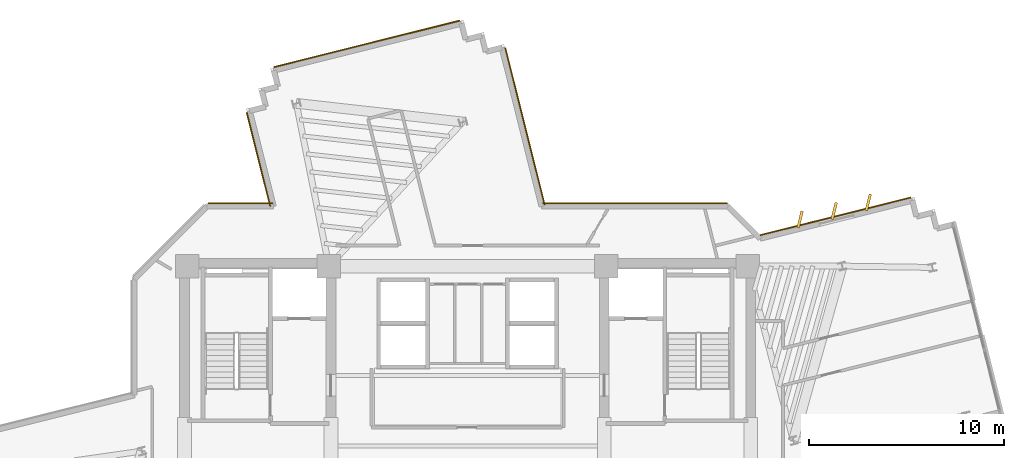
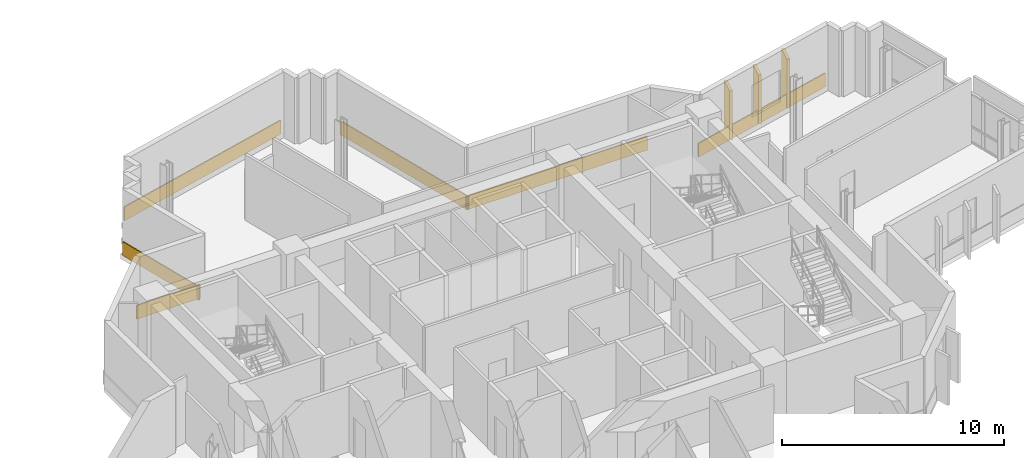
# One storey, part 13 of 13: 9 coverings.
"""IFC4 building model written with IfcOpenShell, lengths in metres."""

from ifc_helpers import new_model, si_unit, direction, frame, origin, origin_2d, place, context, subcontext, project, spatial, rectangle, extrude, source, transform, mapped, material, layer, layer_set, type_object, element, save


model = new_model("IFC4")

# Units and contexts
model_context = context("Model", 3, precision=1e-05, world=origin(), true_north=direction((0.0, 1.0)))
body_context = subcontext(model_context, "Body", "Model", "MODEL_VIEW")
ifc_project = project(units=[si_unit("LENGTHUNIT", "METRE"), si_unit("AREAUNIT", "SQUARE_METRE"), si_unit("VOLUMEUNIT", "CUBIC_METRE"), si_unit("PLANEANGLEUNIT", "RADIAN"), si_unit("MASSUNIT", "GRAM", prefix="KILO")], contexts=[model_context])

# Site, building, storey
site_placement = place(None, origin())
site = spatial("IfcSite", under=ifc_project, at=site_placement, CompositionType="ELEMENT")
building_placement = place(site_placement, origin())
building = spatial("IfcBuilding", under=site, at=building_placement, Name="Zahravan Cultural Tower", CompositionType="ELEMENT")
storey_placement = place(building_placement, frame((0.0, 0.0, 190.199951171875)))
storey = spatial("IfcBuildingStorey", under=building, at=storey_placement, Name="L44", CompositionType="ELEMENT", Elevation=190.199951171875)

# Coverings
ifc_material = material(Name="Terracotta ceramic cladding", Category="masonry")
ifc_layer = layer(ifc_material, 0.06005859375)
ifc_layer_set = layer_set([ifc_layer], Name="Terracotta ceramic cladding")
covering_type = type_object("IfcCoveringType", Name="COV-CLAD-TC60", PredefinedType="CLADDING", material=ifc_layer_set)
shared_shape_1 = source(origin(), body_context, "Body", "SweptSolid", [
    extrude(rectangle(XDim=9.820068359375, YDim=0.06005859375, at=origin_2d()), origin(), (0.0, 0.0, 1.0), 0.760009765625),
])
covering_1_placement = place(storey_placement, frame((30.843505859375, 47.589111328125, 0.02001953125), z_axis=(0.0, 0.0, 1.0), x_axis=(0.970041854282, 0.242937854074, 0.0)))
element("IfcCovering", 1, at=covering_1_placement, inside=storey, type_object=covering_type, Name="L44 Terracotta Spandrel Cladding 45", PredefinedType="CLADDING", context=body_context, shape_type="MappedRepresentation", body=[
    mapped(shared_shape_1, transform((0.0, 0.0, 0.0), x_axis=(1.0, 0.0, 0.0), y_axis=(0.0, 1.0, 0.0), z_axis=(0.0, 0.0, 1.0), scale=1.0)),
])
shared_shape_2 = source(origin(), body_context, "Body", "SweptSolid", [
    extrude(rectangle(XDim=0.8798828125, YDim=0.139892578125, at=origin_2d()), origin(), (0.0, 0.0, 1.0), 2.699951171875),
])
for number, where, z_axis, x_axis, name in (
    (2, (53.03076171875, 38.5947265625, 0.05029296875), (0.0, 0.0, 1.0), (0.240905671828, 0.970548534222, 0.0), "L44 Herringbone Terracotta Fin 01"),
    (3, (54.776611328125, 39.031982421875, 0.05029296875), (0.0, 0.0, 1.0), (0.240905671828, 0.970548534222, 0.0), "L44 Herringbone Terracotta Fin 02"),
    (4, (56.522705078125, 39.46923828125, 0.05029296875), (0.0, 0.0, 1.0), (0.240905671828, 0.970548534222, 0.0), "L44 Herringbone Terracotta Fin 03"),
):
    element("IfcCovering", number, at=place(storey_placement, frame(where, z_axis=z_axis, x_axis=x_axis)), inside=storey, type_object=covering_type, Name=name, PredefinedType="CLADDING", context=body_context, shape_type="MappedRepresentation", body=[
        mapped(shared_shape_2, transform((0.0, 0.0, 0.0), x_axis=(1.0, 0.0, 0.0), y_axis=(0.0, 1.0, 0.0), z_axis=(0.0, 0.0, 1.0), scale=1.0)),
    ])
shared_shape_3 = source(origin(), body_context, "Body", "SweptSolid", [
    extrude(rectangle(XDim=7.945556640625, YDim=0.06005859375, at=origin_2d()), origin(), (0.0, 0.0, 1.0), 0.760009765625),
])
covering_2_placement = place(storey_placement, frame((54.845947265625, 38.755615234375, 0.02001953125), z_axis=(0.0, 0.0, 1.0), x_axis=(0.970041854282, 0.242937854074, 0.0)))
element("IfcCovering", 5, at=covering_2_placement, inside=storey, type_object=covering_type, Name="L44 Terracotta Spandrel Cladding 01", PredefinedType="CLADDING", context=body_context, shape_type="MappedRepresentation", body=[
    mapped(shared_shape_3, transform((0.0, 0.0, 0.0), x_axis=(1.0, 0.0, 0.0), y_axis=(0.0, 1.0, 0.0), z_axis=(0.0, 0.0, 1.0), scale=1.0)),
])
shared_shape_4 = source(origin(), body_context, "Body", "SweptSolid", [
    extrude(rectangle(XDim=3.305908203125, YDim=0.06005859375, at=origin_2d()), origin(), (0.0, 0.0, 1.0), 0.760009765625),
])
covering_3_placement = place(storey_placement, frame((24.361083984375, 39.425048828125, 0.02001953125), z_axis=(0.0, 0.0, 1.0), x_axis=(1.0, 0.0, 0.0)))
element("IfcCovering", 6, at=covering_3_placement, inside=storey, type_object=covering_type, Name="L44 Terracotta Spandrel Cladding 39", PredefinedType="CLADDING", context=body_context, shape_type="MappedRepresentation", body=[
    mapped(shared_shape_4, transform((0.0, 0.0, 0.0), x_axis=(1.0, 0.0, 0.0), y_axis=(0.0, 1.0, 0.0), z_axis=(0.0, 0.0, 1.0), scale=1.0)),
])
shared_shape_5 = source(origin(), body_context, "Body", "SweptSolid", [
    extrude(rectangle(XDim=4.953369140625, YDim=0.06005859375, at=origin_2d()), origin(), (0.0, 0.0, 1.0), 0.760009765625),
])
covering_4_placement = place(storey_placement, frame((25.2900390625, 41.6708984375, 0.02001953125), z_axis=(0.0, 0.0, 1.0), x_axis=(-0.242937854074, 0.970041854282, 0.0)))
element("IfcCovering", 7, at=covering_4_placement, inside=storey, type_object=covering_type, Name="L44 Terracotta Spandrel Cladding 40", PredefinedType="CLADDING", context=body_context, shape_type="MappedRepresentation", body=[
    mapped(shared_shape_5, transform((0.0, 0.0, 0.0), x_axis=(1.0, 0.0, 0.0), y_axis=(0.0, 1.0, 0.0), z_axis=(0.0, 0.0, 1.0), scale=1.0)),
])
shared_shape_6 = source(origin(), body_context, "Body", "SweptSolid", [
    extrude(rectangle(XDim=8.289306640625, YDim=0.06005859375, at=origin_2d()), origin(), (0.0, 0.0, 1.0), 0.760009765625),
])
covering_5_placement = place(storey_placement, frame((38.936279296875, 43.369140625, 0.02001953125), z_axis=(0.0, 0.0, 1.0), x_axis=(0.242920923613, -0.970046094199, 0.0)))
element("IfcCovering", 8, at=covering_5_placement, inside=storey, type_object=covering_type, Name="L44 Terracotta Spandrel Cladding 50", PredefinedType="CLADDING", context=body_context, shape_type="MappedRepresentation", body=[
    mapped(shared_shape_6, transform((0.0, 0.0, 0.0), x_axis=(1.0, 0.0, 0.0), y_axis=(0.0, 1.0, 0.0), z_axis=(0.0, 0.0, 1.0), scale=1.0)),
])
shared_shape_7 = source(origin(), body_context, "Body", "SweptSolid", [
    extrude(rectangle(XDim=9.44677734375, YDim=0.06005859375, at=origin_2d()), origin(), (0.0, 0.0, 1.0), 0.760009765625),
])
covering_6_placement = place(storey_placement, frame((44.568603515625, 39.425048828125, 0.02001953125), z_axis=(0.0, 0.0, 1.0), x_axis=(1.0, 0.0, 0.0)))
element("IfcCovering", 9, at=covering_6_placement, inside=storey, type_object=covering_type, Name="L44 Terracotta Spandrel Cladding 51", PredefinedType="CLADDING", context=body_context, shape_type="MappedRepresentation", body=[
    mapped(shared_shape_7, transform((0.0, 0.0, 0.0), x_axis=(1.0, 0.0, 0.0), y_axis=(0.0, 1.0, 0.0), z_axis=(0.0, 0.0, 1.0), scale=1.0)),
])

save(model, "model.ifc")
